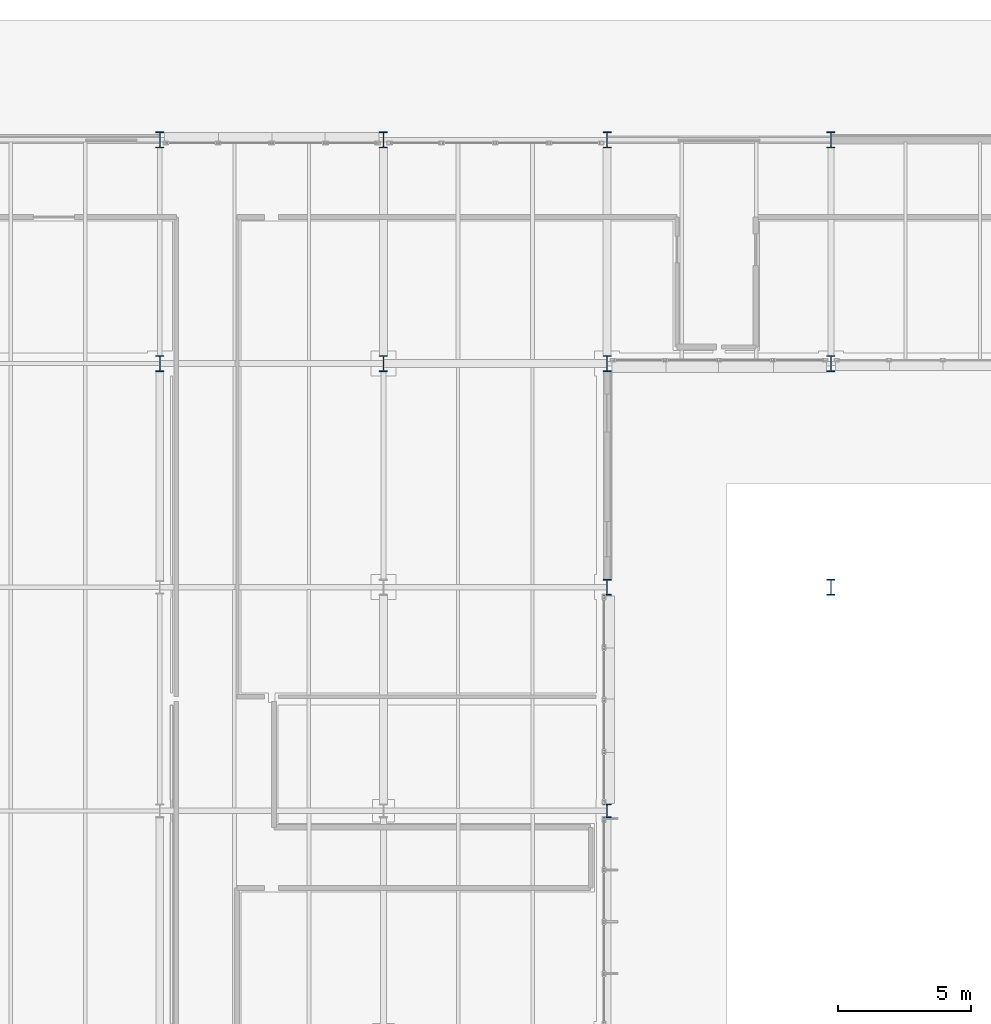
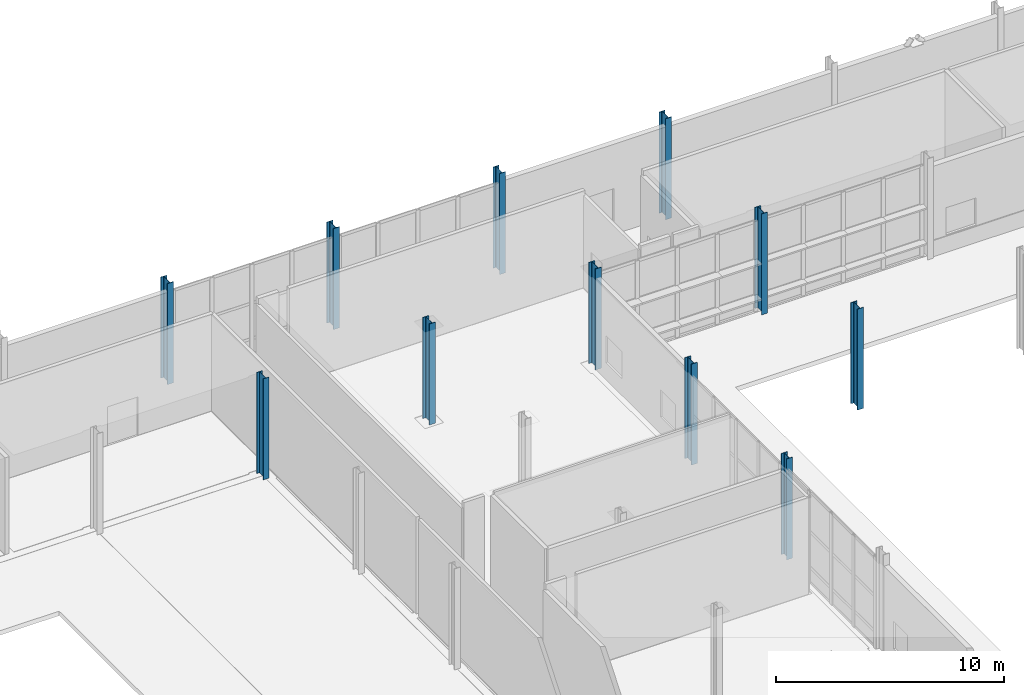
# One storey, part 13 of 124: 11 columns.
"""IFC4 building model written with IfcOpenShell, lengths in metres."""

from ifc_helpers import new_model, si_unit, direction, frame, origin, origin_2d, place, context, subcontext, project, spatial, i_section, extrude, material, material_profile, profile_set, type_object, element, save


model = new_model("IFC4")

# Units and contexts
model_context = context("Model", 3, precision=1e-05, world=origin(), true_north=direction((0.0, 1.0)))
body_context = subcontext(model_context, "Body", "Model", "MODEL_VIEW")
ifc_project = project(units=[si_unit("LENGTHUNIT", "METRE"), si_unit("AREAUNIT", "SQUARE_METRE"), si_unit("VOLUMEUNIT", "CUBIC_METRE"), si_unit("PLANEANGLEUNIT", "RADIAN"), si_unit("MASSUNIT", "GRAM", prefix="KILO")], contexts=[model_context])

# Site, building, storey
site_placement = place(None, origin())
site = spatial("IfcSite", under=ifc_project, at=site_placement, CompositionType="ELEMENT")
building_placement = place(site_placement, origin())
building = spatial("IfcBuilding", under=site, at=building_placement, Name="Mersafa Astral City Hall", CompositionType="ELEMENT")
storey_placement = place(building_placement, origin())
storey = spatial("IfcBuildingStorey", under=building, at=storey_placement, Name="L00", CompositionType="ELEMENT", Elevation=0.0)

# Columns
ifc_material = material(Name="Steel S355", Category="steel")
ifc_material_profile_1 = material_profile(ifc_material, i_section(OverallWidth=0.300048828125, OverallDepth=0.5, WebThickness=0.014404296875, FlangeThickness=0.028076171875, FilletRadius=0.027099609375, at=origin_2d()), Name="HEB 500")
ifc_profile_set_1 = profile_set([ifc_material_profile_1], Name="Steel S355")
column_type_1 = type_object("IfcColumnType", Name="STR-COL-HEB500", PredefinedType="COLUMN", material=ifc_profile_set_1)
column_placement = place(storey_placement, frame((117.60009765625, 100.800048828125, 0.0), z_axis=(0.0, 0.0, 1.0), x_axis=(1.0, 0.0, 0.0)))
element("IfcColumn", 1, at=column_placement, inside=storey, type_object=column_type_1, Name="L00 Structural column G-14-12", PredefinedType="COLUMN", context=body_context, shape_type="SweptSolid", body=[
    extrude(i_section(OverallWidth=0.300048828125, OverallDepth=0.5, WebThickness=0.014404296875, FlangeThickness=0.028076171875, FilletRadius=0.027099609375, at=origin_2d()), origin(), (0.0, 0.0, 1.0), 5.39990234375),
])
ifc_material_profile_2 = material_profile(ifc_material, i_section(OverallWidth=0.300048828125, OverallDepth=0.60009765625, WebThickness=0.015380859375, FlangeThickness=0.030029296875, FilletRadius=0.027099609375, at=origin_2d()), Name="HEB 600")
ifc_profile_set_2 = profile_set([ifc_material_profile_2], Name="Steel S355")
column_type_2 = type_object("IfcColumnType", Name="STR-COL-HEB600", PredefinedType="COLUMN", material=ifc_profile_set_2)
for number, where, z_axis, x_axis, name in (
    (2, (100.800048828125, 117.60009765625, 0.0), (0.0, 0.0, 1.0), (1.0, 0.0, 0.0), "L00 Structural column G-12-14"),
    (3, (100.800048828125, 126.0, 0.0), (0.0, 0.0, 1.0), (1.0, 0.0, 0.0), "L00 Structural column G-12-15"),
    (4, (109.199951171875, 117.60009765625, 0.0), (0.0, 0.0, 1.0), (1.0, 0.0, 0.0), "L00 Structural column G-13-14"),
    (5, (109.199951171875, 126.0, 0.0), (0.0, 0.0, 1.0), (1.0, 0.0, 0.0), "L00 Structural column G-13-15"),
    (6, (117.60009765625, 109.199951171875, 0.0), (0.0, 0.0, 1.0), (1.0, 0.0, 0.0), "L00 Structural column G-14-13"),
    (7, (117.60009765625, 117.60009765625, 0.0), (0.0, 0.0, 1.0), (1.0, 0.0, 0.0), "L00 Structural column G-14-14"),
    (8, (117.60009765625, 126.0, 0.0), (0.0, 0.0, 1.0), (1.0, 0.0, 0.0), "L00 Structural column G-14-15"),
    (9, (126.0, 109.199951171875, 0.0), (0.0, 0.0, 1.0), (1.0, 0.0, 0.0), "L00 Structural column G-15-13"),
    (10, (126.0, 117.60009765625, 0.0), (0.0, 0.0, 1.0), (1.0, 0.0, 0.0), "L00 Structural column G-15-14"),
    (11, (126.0, 126.0, 0.0), (0.0, 0.0, 1.0), (1.0, 0.0, 0.0), "L00 Structural column G-15-15"),
):
    element("IfcColumn", number, at=place(storey_placement, frame(where, z_axis=z_axis, x_axis=x_axis)), inside=storey, type_object=column_type_2, Name=name, PredefinedType="COLUMN", context=body_context, shape_type="SweptSolid", body=[
        extrude(i_section(OverallWidth=0.300048828125, OverallDepth=0.60009765625, WebThickness=0.015380859375, FlangeThickness=0.030029296875, FilletRadius=0.027099609375, at=origin_2d()), origin(), (0.0, 0.0, 1.0), 5.39990234375),
    ])

save(model, "model.ifc")
